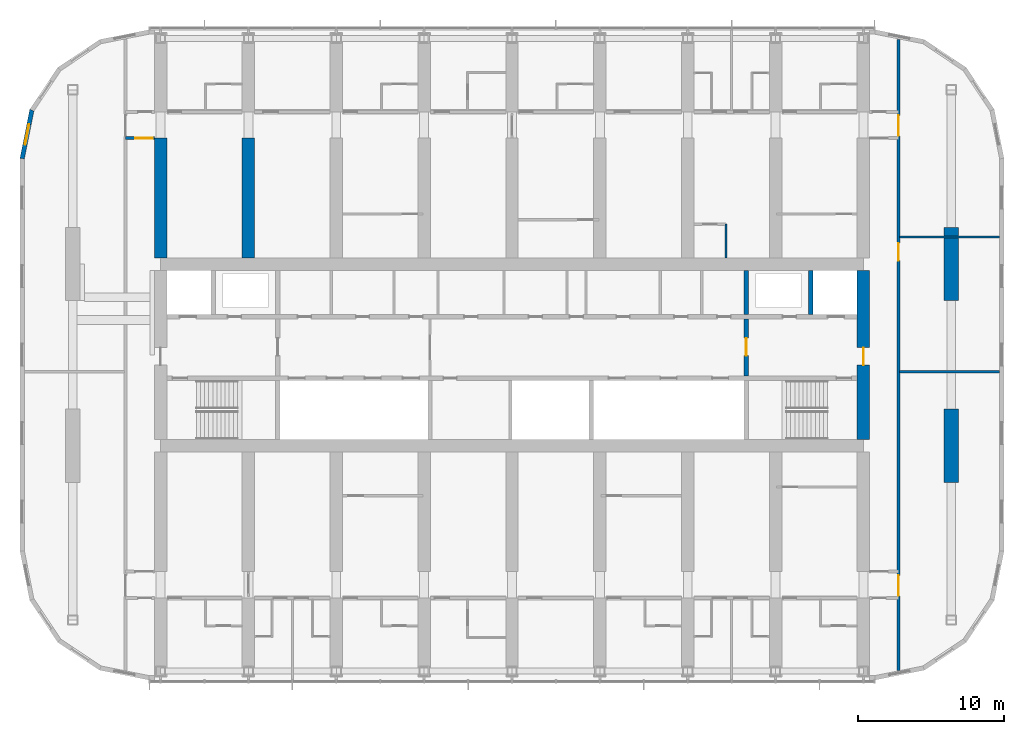
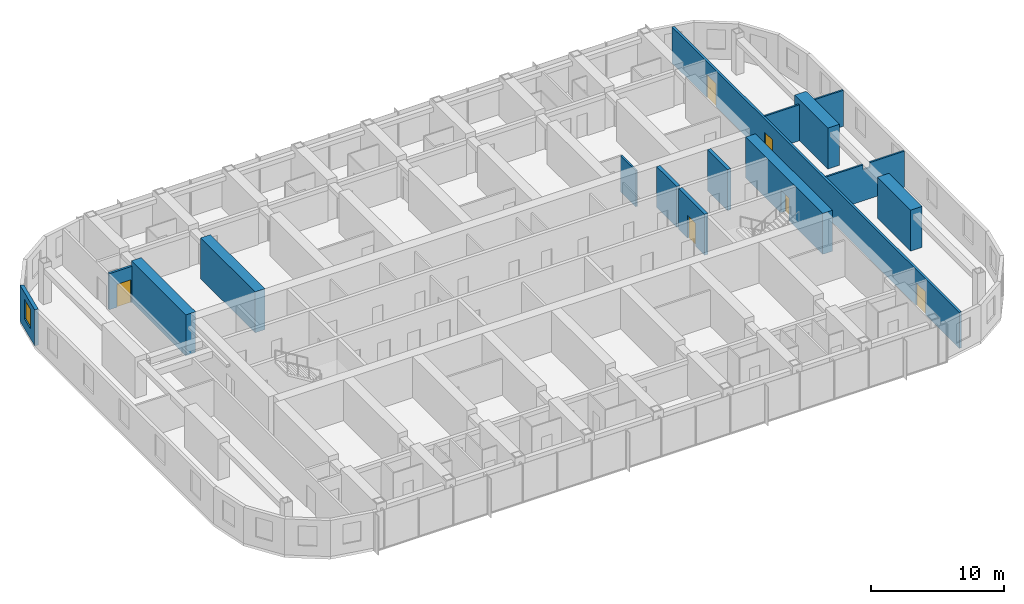
# One storey, part 14 of 22: 14 walls, 6 doors, 1 window, 7 openings.
"""IFC4 building model written with IfcOpenShell, lengths in metres."""

from ifc_helpers import new_model, si_unit, direction, frame, frame_2d, origin, place, context, subcontext, project, spatial, polyline, rectangle, outline, extrude, material, layer, layer_set, type_object, element, fill, save


model = new_model("IFC4")

# Units and contexts
model_context = context("Model", 3, precision=1e-05, world=origin(), true_north=direction((0.0, 1.0)))
body_context = subcontext(model_context, "Body", "Model", "MODEL_VIEW")
ifc_project = project(units=[si_unit("LENGTHUNIT", "METRE"), si_unit("AREAUNIT", "SQUARE_METRE"), si_unit("VOLUMEUNIT", "CUBIC_METRE"), si_unit("PLANEANGLEUNIT", "RADIAN"), si_unit("MASSUNIT", "GRAM", prefix="KILO")], contexts=[model_context])

# Site, building, storey
site_placement = place(None, origin())
site = spatial("IfcSite", under=ifc_project, at=site_placement, CompositionType="ELEMENT")
building_placement = place(site_placement, origin())
building = spatial("IfcBuilding", under=site, at=building_placement, Name="Orbita Commons", CompositionType="ELEMENT")
storey_placement = place(building_placement, frame((0.0, 0.0, 189.85009765625)))
storey = spatial("IfcBuildingStorey", under=building, at=storey_placement, Name="L47", CompositionType="ELEMENT", Elevation=189.85009765625)

# Wall, opening, door
ifc_material_1 = material(Name="Concrete C50/60", Category="concrete")
ifc_layer_1 = layer(ifc_material_1, 0.300048828125)
ifc_layer_set_1 = layer_set([ifc_layer_1], Name="Concrete C50/60")
wall_type_1 = type_object("IfcWallType", Name="Core inner wall 300 C50/60", PredefinedType="SHEAR", material=ifc_layer_set_1)
wall_1_placement = place(storey_placement, frame((58.0, 30.550048828125, 0.0), z_axis=(0.0, 0.0, 1.0), x_axis=(0.0, 1.0, 0.0)))
wall_1 = element("IfcWall", 1, at=wall_1_placement, inside=storey, type_object=wall_type_1, Name="Firefighting lobby wall east L47", PredefinedType="SHEAR", context=body_context, shape_type="SweptSolid", body=[
    extrude(rectangle(XDim=3.89990234375, YDim=0.300048828125, at=frame_2d((1.949951171875, 0.0))), origin(), (0.0, 0.0, 1.0), 3.75),
])
opening_1_placement = place(wall_1_placement, frame((1.39990234375, 0.0, 0.0)))
opening_1 = element("IfcOpeningElement", 2, at=opening_1_placement, cuts=wall_1, Name="Opening D04", PredefinedType="OPENING", context=body_context, shape_type="SweptSolid", body=[
    extrude(rectangle(XDim=1.199951171875, YDim=2.10009765625, at=frame_2d((0.60009765625, 1.050048828125))), frame((0.0, 0.159912109375, 0.0), z_axis=(0.0, -1.0, 0.0), x_axis=(1.0, 0.0, 0.0)), (0.0, 0.0, 1.0), 0.320068359375),
])
ifc_material_2 = material(Name="Steel-faced fire door leaf", Category="steel")
door_type_1 = type_object("IfcDoorType", Name="Service door 20 min 1200x2100", OperationType="SINGLE_SWING_LEFT", PredefinedType="DOOR", material=ifc_material_2)
door_1_placement = place(opening_1_placement, origin())
door_1 = element("IfcDoor", 3, at=door_1_placement, inside=storey, type_object=door_type_1, Name="Lift lobby door east", OperationType="SINGLE_SWING_LEFT", OverallHeight=2.10009765625, OverallWidth=1.199951171875, PredefinedType="DOOR", context=body_context, shape_type="SweptSolid", body=[
    extrude(rectangle(XDim=1.199951171875, YDim=2.10009765625, at=frame_2d((0.60009765625, 1.050048828125))), frame((0.0, 0.02490234375, 0.0), z_axis=(0.0, -1.0, 0.0), x_axis=(1.0, 0.0, 0.0)), (0.0, 0.0, 1.0), 0.050048828125),
])
fill(opening_1, door_1)

# Walls
for number, where, z_axis, x_axis, name in (
    (4, (62.39990234375, 34.75, 0.0), (0.0, 0.0, 1.0), (0.0, 1.0, 0.0), "Firefighting lift FL2 shaft wall L47"),
    (5, (58.0, 34.75, 0.0), (0.0, 0.0, 1.0), (0.0, 1.0, 0.0), "Riser wall east L47"),
):
    element("IfcWall", number, at=place(storey_placement, frame(where, z_axis=z_axis, x_axis=x_axis)), inside=storey, type_object=wall_type_1, Name=name, PredefinedType="SHEAR", context=body_context, shape_type="SweptSolid", body=[
        extrude(rectangle(XDim=3.02490234375, YDim=0.300048828125, at=frame_2d((1.512451171875, 0.0))), origin(), (0.0, 0.0, 1.0), 3.75),
    ])

# Wall, opening, door
ifc_material_3 = material(Name="Concrete C50/60", Category="concrete")
ifc_layer_2 = layer(ifc_material_3, 0.85009765625)
ifc_layer_set_2 = layer_set([ifc_layer_2], Name="Concrete C50/60")
wall_type_2 = type_object("IfcWallType", Name="Core wall 850 C50/60", PredefinedType="SHEAR", material=ifc_layer_set_2)
wall_2_placement = place(storey_placement, frame((66.0, 26.22509765625, 0.0), z_axis=(0.0, 0.0, 1.0), x_axis=(0.0, 1.0, 0.0)))
wall_2 = element("IfcWall", 6, at=wall_2_placement, inside=storey, type_object=wall_type_2, Name="Core end wall east L47", PredefinedType="SHEAR", context=body_context, shape_type="SweptSolid", body=[
    extrude(rectangle(XDim=11.5498046875, YDim=0.85009765625, at=frame_2d((5.77490234375, 0.0))), origin(), (0.0, 0.0, 1.0), 3.75),
])
opening_2_placement = place(wall_2_placement, frame((5.074951171875, 0.0, 0.0)))
opening_2 = element("IfcOpeningElement", 7, at=opening_2_placement, cuts=wall_2, Name="Opening D01", PredefinedType="OPENING", context=body_context, shape_type="SweptSolid", body=[
    extrude(rectangle(XDim=1.199951171875, YDim=2.10009765625, at=frame_2d((0.60009765625, 1.050048828125))), frame((0.0, 0.43505859375, 0.0), z_axis=(0.0, -1.0, 0.0), x_axis=(1.0, 0.0, 0.0)), (0.0, 0.0, 1.0), 0.8701171875),
])
ifc_material_4 = material(Name="Steel-faced fire door leaf", Category="steel")
door_type_2 = type_object("IfcDoorType", Name="Fire door 90 min 1200x2100", OperationType="SINGLE_SWING_LEFT", PredefinedType="DOOR", material=ifc_material_4)
door_2_placement = place(opening_2_placement, origin())
door_2 = element("IfcDoor", 8, at=door_2_placement, inside=storey, type_object=door_type_2, Name="Firefighting lobby east door", OperationType="SINGLE_SWING_LEFT", OverallHeight=2.10009765625, OverallWidth=1.199951171875, PredefinedType="DOOR", context=body_context, shape_type="SweptSolid", body=[
    extrude(rectangle(XDim=1.199951171875, YDim=2.10009765625, at=frame_2d((0.60009765625, 1.050048828125))), frame((0.0, 0.02490234375, 0.0), z_axis=(0.0, -1.0, 0.0), x_axis=(1.0, 0.0, 0.0)), (0.0, 0.0, 1.0), 0.050048828125),
])
fill(opening_2, door_2)

# Wall, openings, doors
ifc_material_5 = material(Name="Concrete blockwork", Category="masonry")
ifc_layer_3 = layer(ifc_material_5, 0.199951171875)
ifc_layer_set_3 = layer_set([ifc_layer_3], Name="Concrete blockwork")
wall_type_3 = type_object("IfcWallType", Name="Corridor wall 200 blockwork", PredefinedType="SOLIDWALL", material=ifc_layer_set_3)
wall_3_placement = place(storey_placement, frame((68.39990234375, 10.4462890625, 0.0), z_axis=(0.0, 0.0, 1.0), x_axis=(0.0, 1.0, 0.0)))
wall_3 = element("IfcWall", 9, at=wall_3_placement, inside=storey, type_object=wall_type_3, Name="Corridor wall 200 blockwork L47", PredefinedType="SOLIDWALL", context=body_context, shape_type="SweptSolid", body=[
    extrude(rectangle(XDim=43.107421875, YDim=0.199951171875, at=frame_2d((21.5537109375, 0.0))), origin(), (0.0, 0.0, 1.0), 3.2998046875),
])
opening_3_placement = place(wall_3_placement, frame((27.993896484375, 0.0, 0.0)))
opening_3 = element("IfcOpeningElement", 10, at=opening_3_placement, cuts=wall_3, Name="Opening D15", PredefinedType="OPENING", context=body_context, shape_type="SweptSolid", body=[
    extrude(rectangle(XDim=1.199951171875, YDim=2.10009765625, at=frame_2d((0.60009765625, 1.050048828125))), frame((0.0, 0.10986328125, 0.0), z_axis=(0.0, -1.0, 0.0), x_axis=(1.0, 0.0, 0.0)), (0.0, 0.0, 1.0), 0.219970703125),
])
opening_4_placement = place(wall_3_placement, frame((5.103759765625, 0.0, 0.0)))
opening_4 = element("IfcOpeningElement", 11, at=opening_4_placement, cuts=wall_3, Name="Opening D08", PredefinedType="OPENING", context=body_context, shape_type="SweptSolid", body=[
    extrude(rectangle(XDim=1.39990234375, YDim=2.10009765625, at=frame_2d((0.699951171875, 1.050048828125))), frame((0.0, 0.10986328125, 0.0), z_axis=(0.0, -1.0, 0.0), x_axis=(1.0, 0.0, 0.0)), (0.0, 0.0, 1.0), 0.219970703125),
])
opening_5_placement = place(wall_3_placement, frame((36.50390625, 0.0, 0.0)))
opening_5 = element("IfcOpeningElement", 12, at=opening_5_placement, cuts=wall_3, Name="Opening D08", PredefinedType="OPENING", context=body_context, shape_type="SweptSolid", body=[
    extrude(rectangle(XDim=1.39990234375, YDim=2.10009765625, at=frame_2d((0.699951171875, 1.050048828125))), frame((0.0, 0.10986328125, 0.0), z_axis=(0.0, -1.0, 0.0), x_axis=(1.0, 0.0, 0.0)), (0.0, 0.0, 1.0), 0.219970703125),
])
ifc_material_6 = material(Name="Steel-faced fire door leaf", Category="steel")
door_type_3 = type_object("IfcDoorType", Name="Corridor door 20 min 1200x2100", OperationType="SINGLE_SWING_LEFT", PredefinedType="DOOR", material=ifc_material_6)
door_3_placement = place(opening_3_placement, origin())
door_3 = element("IfcDoor", 13, at=door_3_placement, inside=storey, type_object=door_type_3, Name="Study hall door", OperationType="SINGLE_SWING_LEFT", OverallHeight=2.10009765625, OverallWidth=1.199951171875, PredefinedType="DOOR", context=body_context, shape_type="SweptSolid", body=[
    extrude(rectangle(XDim=1.199951171875, YDim=2.10009765625, at=frame_2d((0.60009765625, 1.050048828125))), frame((0.0, 0.02490234375, 0.0), z_axis=(0.0, -1.0, 0.0), x_axis=(1.0, 0.0, 0.0)), (0.0, 0.0, 1.0), 0.050048828125),
])
fill(opening_3, door_3)
ifc_material_7 = material(Name="Steel-faced fire door leaf", Category="steel")
door_type_4 = type_object("IfcDoorType", Name="Double corridor door 20 min 1400x2100", OperationType="DOUBLE_DOOR_SINGLE_SWING", PredefinedType="DOOR", material=ifc_material_7)
door_4_placement = place(opening_4_placement, origin())
door_4 = element("IfcDoor", 14, at=door_4_placement, inside=storey, type_object=door_type_4, Name="Lounge doors", OperationType="DOUBLE_DOOR_SINGLE_SWING", OverallHeight=2.10009765625, OverallWidth=1.39990234375, PredefinedType="DOOR", context=body_context, shape_type="SweptSolid", body=[
    extrude(rectangle(XDim=1.39990234375, YDim=2.10009765625, at=frame_2d((0.699951171875, 1.050048828125))), frame((0.0, 0.02490234375, 0.0), z_axis=(0.0, -1.0, 0.0), x_axis=(1.0, 0.0, 0.0)), (0.0, 0.0, 1.0), 0.050048828125),
])
fill(opening_4, door_4)
door_5_placement = place(opening_5_placement, origin())
door_5 = element("IfcDoor", 15, at=door_5_placement, inside=storey, type_object=door_type_4, Name="Lounge doors", OperationType="DOUBLE_DOOR_SINGLE_SWING", OverallHeight=2.10009765625, OverallWidth=1.39990234375, PredefinedType="DOOR", context=body_context, shape_type="SweptSolid", body=[
    extrude(rectangle(XDim=1.39990234375, YDim=2.10009765625, at=frame_2d((0.699951171875, 1.050048828125))), frame((0.0, 0.02490234375, 0.0), z_axis=(0.0, -1.0, 0.0), x_axis=(1.0, 0.0, 0.0)), (0.0, 0.0, 1.0), 0.050048828125),
])
fill(opening_5, door_5)

# Wall, opening, door
ifc_material_8 = material(Name="Hollow concrete block 200", Category="concrete")
ifc_layer_4 = layer(ifc_material_8, 0.199951171875)
ifc_layer_set_4 = layer_set([ifc_layer_4], Name="Hollow concrete block 200")
wall_type_4 = type_object("IfcWallType", Name="Corridor wall 200 hollow concrete block", PredefinedType="SOLIDWALL", material=ifc_layer_set_4)
wall_4_placement = place(storey_placement, frame((15.60009765625, 46.800048828125, 0.0), z_axis=(0.0, 0.0, 1.0), x_axis=(1.0, 0.0, 0.0)))
wall_4 = element("IfcWall", 16, at=wall_4_placement, inside=storey, type_object=wall_type_4, Name="Corridor wall 200 hollow concrete block L47", PredefinedType="SOLIDWALL", context=body_context, shape_type="SweptSolid", body=[
    extrude(rectangle(XDim=1.974853515625, YDim=0.199951171875, at=frame_2d((0.9873046875, 0.0))), origin(), (0.0, 0.0, 1.0), 3.2998046875),
])
opening_6_placement = place(wall_4_placement, frame((0.675048828125, 0.0, 0.0)))
opening_6 = element("IfcOpeningElement", 17, at=opening_6_placement, cuts=wall_4, Name="Opening D12", PredefinedType="OPENING", context=body_context, shape_type="SweptSolid", body=[
    extrude(rectangle(XDim=1.199951171875, YDim=2.10009765625, at=frame_2d((0.60009765625, 1.050048828125))), frame((0.0, 0.10986328125, 0.0), z_axis=(0.0, -1.0, 0.0), x_axis=(1.0, 0.0, 0.0)), (0.0, 0.0, 1.0), 0.219970703125),
])
ifc_material_9 = material(Name="Steel-faced fire door leaf", Category="steel")
door_type_5 = type_object("IfcDoorType", Name="Double corridor door 20 min 1200x2100", OperationType="DOUBLE_DOOR_SINGLE_SWING", PredefinedType="DOOR", material=ifc_material_9)
door_6_placement = place(opening_6_placement, origin())
door_6 = element("IfcDoor", 18, at=door_6_placement, inside=storey, type_object=door_type_5, Name="Cross corridor doors", OperationType="DOUBLE_DOOR_SINGLE_SWING", OverallHeight=2.10009765625, OverallWidth=1.199951171875, PredefinedType="DOOR", context=body_context, shape_type="SweptSolid", body=[
    extrude(rectangle(XDim=1.199951171875, YDim=2.10009765625, at=frame_2d((0.60009765625, 1.050048828125))), frame((0.0, 0.02490234375, 0.0), z_axis=(0.0, -1.0, 0.0), x_axis=(1.0, 0.0, 0.0)), (0.0, 0.0, 1.0), 0.050048828125),
])
fill(opening_6, door_6)

# Walls
ifc_material_10 = material(Name="Concrete C50/60", Category="concrete")
ifc_layer_5 = layer(ifc_material_10, 0.85009765625)
ifc_layer_set_5 = layer_set([ifc_layer_5], Name="Concrete C50/60")
wall_type_5 = type_object("IfcWallType", Name="Cross wall 850 C50/60", PredefinedType="SHEAR", material=ifc_layer_set_5)
for number, where, z_axis, x_axis, name in (
    (19, (18.0, 38.625, 0.0), (0.0, 0.0, 1.0), (0.0, 1.0, 0.0), "Cross wall 4 north inner L47"),
    (20, (24.0, 38.625, 0.0), (0.0, 0.0, 1.0), (0.0, 1.0, 0.0), "Cross wall 5 north inner L47"),
):
    element("IfcWall", number, at=place(storey_placement, frame(where, z_axis=z_axis, x_axis=x_axis)), inside=storey, type_object=wall_type_5, Name=name, PredefinedType="SHEAR", context=body_context, shape_type="SweptSolid", body=[
        extrude(rectangle(XDim=8.175048828125, YDim=0.85009765625, at=frame_2d((4.08740234375, 0.0))), origin(), (0.0, 0.0, 1.0), 3.75),
    ])
ifc_material_11 = material(Name="Concrete C50/60", Category="concrete")
ifc_layer_6 = layer(ifc_material_11, 1.0)
ifc_layer_set_6 = layer_set([ifc_layer_6], Name="Concrete C50/60")
wall_type_6 = type_object("IfcWallType", Name="End pier 1000x5000 C50/60", PredefinedType="SHEAR", material=ifc_layer_set_6)
for number, where, z_axis, x_axis, name in (
    (21, (72.0, 23.300048828125, 0.0), (0.0, 0.0, 1.0), (0.0, 1.0, 0.0), "End pier 13/C L47"),
    (22, (72.0, 35.699951171875, 0.0), (0.0, 0.0, 1.0), (0.0, 1.0, 0.0), "End pier 13/D L47"),
):
    element("IfcWall", number, at=place(storey_placement, frame(where, z_axis=z_axis, x_axis=x_axis)), inside=storey, type_object=wall_type_6, Name=name, PredefinedType="SHEAR", context=body_context, shape_type="SweptSolid", body=[
        extrude(rectangle(XDim=5.0, YDim=1.0, at=frame_2d((2.5, 0.0))), origin(), (0.0, 0.0, 1.0), 3.75),
    ])
ifc_material_12 = material(Name="Gypsum plasterboard on steel studs", Category="steel")
ifc_layer_7 = layer(ifc_material_12, 0.14990234375)
ifc_layer_set_7 = layer_set([ifc_layer_7], Name="Gypsum plasterboard on steel studs")
wall_type_7 = type_object("IfcWallType", Name="Partition 150 plasterboard", PredefinedType="PARTITIONING", material=ifc_layer_set_7)
wall_5_placement = place(storey_placement, frame((56.625, 40.925048828125, 0.0), z_axis=(0.0, 0.0, 1.0), x_axis=(0.0, -1.0, 0.0)))
element("IfcWall", 23, at=wall_5_placement, inside=storey, type_object=wall_type_7, Name="Partition 150 plasterboard L47", PredefinedType="PARTITIONING", context=body_context, shape_type="SweptSolid", body=[
    extrude(rectangle(XDim=2.300048828125, YDim=0.14990234375, at=frame_2d((1.14990234375, 0.0))), origin(), (0.0, 0.0, 1.0), 3.2998046875),
])
wall_6_placement = place(storey_placement, frame((68.47509765625, 30.85009765625, 0.0), z_axis=(0.0, 0.0, 1.0), x_axis=(1.0, 0.0, 0.0)))
element("IfcWall", 24, at=wall_6_placement, inside=storey, type_object=wall_type_7, Name="Partition 150 plasterboard L47", PredefinedType="PARTITIONING", context=body_context, shape_type="SweptSolid", body=[
    extrude(outline(polyline([(0.0, 0.0), (6.81982421875, 0.0), (6.820068359375, 3.2998046875), (3.826904296875, 3.2998046875), (3.824951171875, 2.849853515625), (3.22705078125, 2.849853515625), (3.22509765625, 3.2998046875), (0.0, 3.2998046875), (0.0, 0.0)])), frame((0.0, 0.074951171875, 0.0), z_axis=(0.0, -1.0, 0.0), x_axis=(1.0, 0.0, 0.0)), (0.0, 0.0, 1.0), 0.14990234375),
])
wall_7_placement = place(storey_placement, frame((68.47509765625, 40.0400390625, 0.0), z_axis=(0.0, 0.0, 1.0), x_axis=(1.0, 0.0, 0.0)))
element("IfcWall", 25, at=wall_7_placement, inside=storey, type_object=wall_type_7, Name="Partition 150 plasterboard L47", PredefinedType="PARTITIONING", context=body_context, shape_type="SweptSolid", body=[
    extrude(rectangle(XDim=6.81982421875, YDim=0.14990234375, at=frame_2d((3.409912109375, 0.0))), origin(), (0.0, 0.0, 1.0), 3.2998046875),
])

# Wall, opening, window
ifc_material_13 = material(Name="Precast concrete C40/50, white board-marked finish", Category="concrete")
ifc_layer_8 = layer(ifc_material_13, 0.300048828125)
ifc_layer_set_8 = layer_set([ifc_layer_8], Name="Precast concrete C40/50, white board-marked finish")
wall_type_8 = type_object("IfcWallType", Name="Precast concrete end shield 300", PredefinedType="SOLIDWALL", material=ifc_layer_set_8)
wall_8_placement = place(storey_placement, frame((9.20849609375, 48.710205078125, 0.0), z_axis=(0.0, 0.0, 1.0), x_axis=(-0.19508664885, -0.980786011034, 0.0)))
wall_8 = element("IfcWall", 26, at=wall_8_placement, inside=storey, type_object=wall_type_8, Name="End shield NW chord 4 L47", PredefinedType="SOLIDWALL", context=body_context, shape_type="SweptSolid", body=[
    extrude(outline(polyline([(-0.02978515625, -0.14990234375), (3.39013671875, -0.14990234375), (3.3603515625, 0.14990234375), (0.02978515625, 0.14990234375), (-0.02978515625, -0.14990234375)])), origin(), (0.0, 0.0, 1.0), 3.2998046875),
])
opening_7_placement = place(wall_8_placement, frame((0.987548828125, 0.0, 0.89990234375)))
opening_7 = element("IfcOpeningElement", 27, at=opening_7_placement, cuts=wall_8, Name="Opening W02", PredefinedType="OPENING", context=body_context, shape_type="SweptSolid", body=[
    extrude(rectangle(XDim=1.39990234375, YDim=1.800048828125, at=frame_2d((0.699951171875, 0.89990234375))), frame((0.0, 0.159912109375, 0.0), z_axis=(0.0, -1.0, 0.0), x_axis=(1.0, 0.0, 0.0)), (0.0, 0.0, 1.0), 0.320068359375),
])
ifc_material_14 = material(Name="Aluminium frame, clear double glazing", Category="aluminium")
window_type = type_object("IfcWindowType", Name="Deep-set window 1400x1800", PartitioningType="SINGLE_PANEL", PredefinedType="WINDOW", material=ifc_material_14)
window_placement = place(opening_7_placement, origin())
window = element("IfcWindow", 28, at=window_placement, inside=storey, type_object=window_type, Name="Window L47-NW3", OverallHeight=1.800048828125, OverallWidth=1.39990234375, PartitioningType="SINGLE_PANEL", PredefinedType="WINDOW", context=body_context, shape_type="SweptSolid", body=[
    extrude(rectangle(XDim=1.39990234375, YDim=1.800048828125, at=frame_2d((0.699951171875, 0.89990234375))), frame((0.0, 0.030029296875, 0.0), z_axis=(0.0, -1.0, 0.0), x_axis=(1.0, 0.0, 0.0)), (0.0, 0.0, 1.0), 0.06005859375),
])
fill(opening_7, window)

save(model, "model.ifc")
